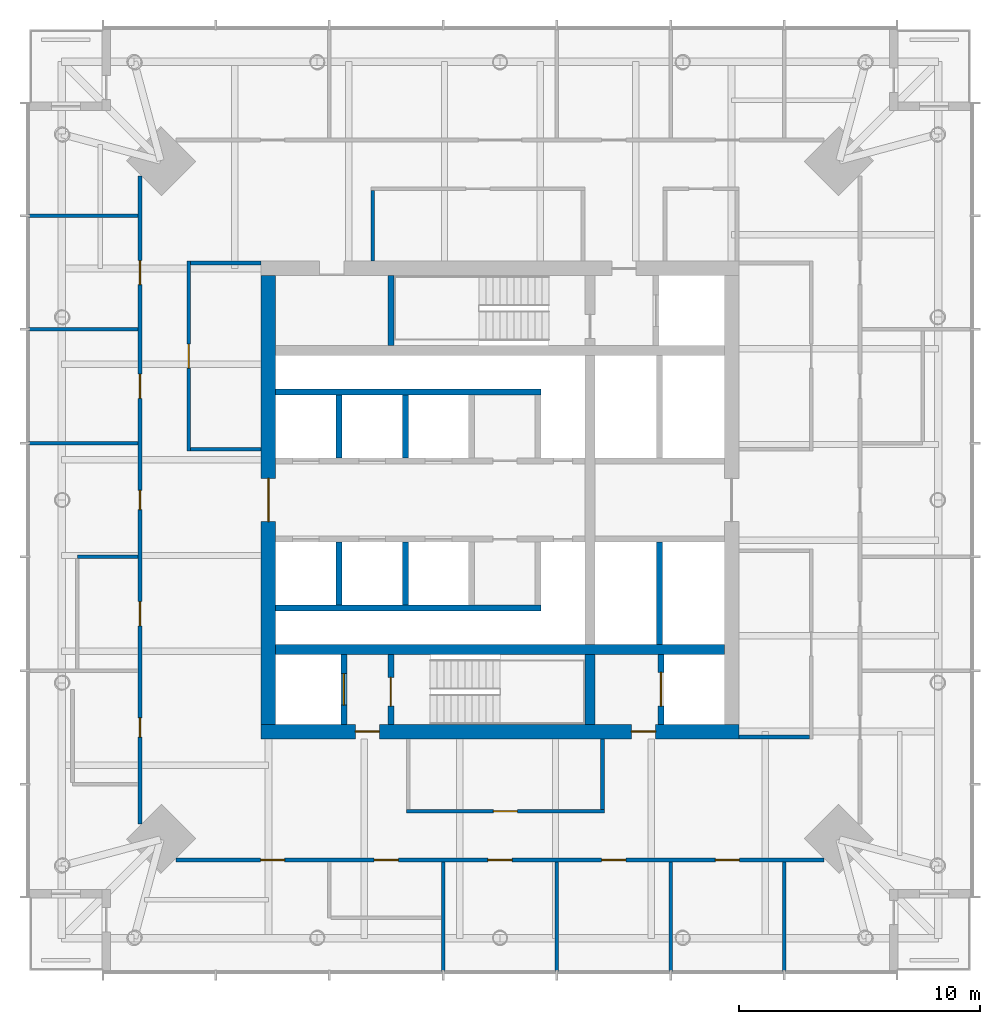
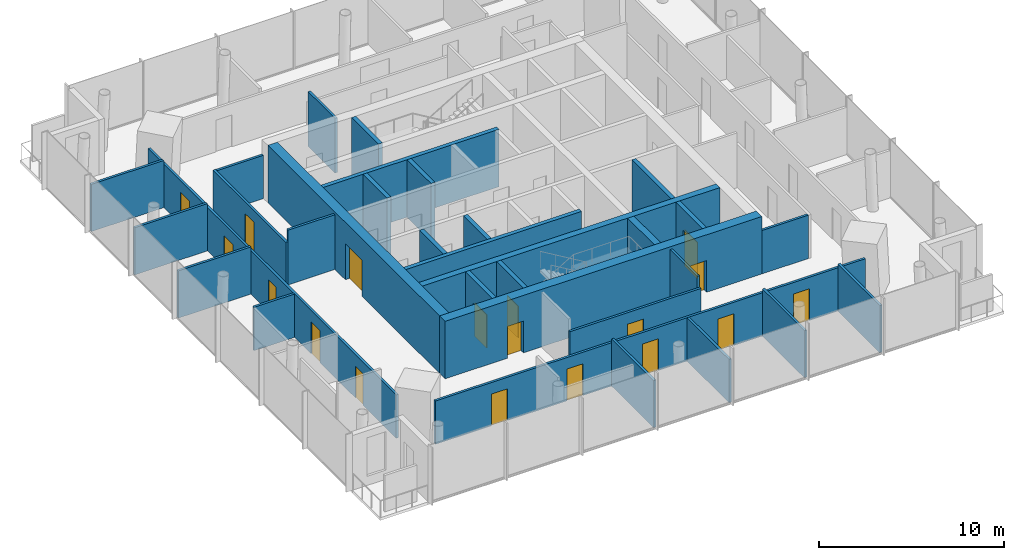
# One storey, part 4 of 7: 32 walls, 18 doors, 18 openings.
"""IFC4 building model written with IfcOpenShell, lengths in metres."""

from ifc_helpers import new_model, si_unit, direction, frame, frame_2d, origin, place, context, subcontext, project, spatial, rectangle, extrude, material, layer, layer_set, type_object, element, fill, save


model = new_model("IFC4")

# Units and contexts
model_context = context("Model", 3, precision=1e-05, world=origin(), true_north=direction((0.0, 1.0)))
body_context = subcontext(model_context, "Body", "Model", "MODEL_VIEW")
ifc_project = project(units=[si_unit("LENGTHUNIT", "METRE"), si_unit("AREAUNIT", "SQUARE_METRE"), si_unit("VOLUMEUNIT", "CUBIC_METRE"), si_unit("PLANEANGLEUNIT", "RADIAN"), si_unit("MASSUNIT", "GRAM", prefix="KILO")], contexts=[model_context])

# Site, building, storey
site_placement = place(None, origin())
site = spatial("IfcSite", under=ifc_project, at=site_placement, CompositionType="ELEMENT")
building_placement = place(site_placement, origin())
building = spatial("IfcBuilding", under=site, at=building_placement, Name="Ostroluk Exchange", CompositionType="ELEMENT")
storey_placement = place(building_placement, frame((0.0, 0.0, 203.39990234375)))
storey = spatial("IfcBuildingStorey", under=building, at=storey_placement, Name="L52", CompositionType="ELEMENT", Elevation=203.39990234375)

# Walls
ifc_material_1 = material(Name="Concrete C50/60", Category="concrete")
ifc_layer_1 = layer(ifc_material_1, 0.39990234375)
ifc_layer_set_1 = layer_set([ifc_layer_1], Name="Core cross wall 400 C50/60")
wall_type_1 = type_object("IfcWallType", Name="Core cross wall 400 C50/60", PredefinedType="SHEAR", material=ifc_layer_set_1)
wall_1_placement = place(storey_placement, frame((35.699951171875, 39.800048828125, 0.0), z_axis=(0.0, 0.0, 1.0), x_axis=(1.0, 0.0, 0.0)))
element("IfcWall", 1, at=wall_1_placement, inside=storey, type_object=wall_type_1, Name="T1 core wall XS", PredefinedType="SHEAR", context=body_context, shape_type="SweptSolid", body=[
    extrude(rectangle(XDim=18.60009765625, YDim=0.39990234375, at=frame_2d((9.300048828125, 0.0))), origin(), (0.0, 0.0, 1.0), 3.800048828125),
])
wall_2_placement = place(storey_placement, frame((48.72998046875, 36.699951171875, 0.0), z_axis=(0.0, 0.0, 1.0), x_axis=(0.0, 1.0, 0.0)))
element("IfcWall", 2, at=wall_2_placement, inside=storey, type_object=wall_type_1, Name="T1 core wall YE1", PredefinedType="SHEAR", context=body_context, shape_type="SweptSolid", body=[
    extrude(rectangle(XDim=2.900146484375, YDim=0.39990234375, at=frame_2d((1.4501953125, 0.0))), origin(), (0.0, 0.0, 1.0), 3.800048828125),
])

# Wall, opening, door
ifc_material_2 = material(Name="Concrete C40/50", Category="concrete")
ifc_layer_2 = layer(ifc_material_2, 0.25)
ifc_layer_set_2 = layer_set([ifc_layer_2], Name="Core shaft wall 250")
wall_type_2 = type_object("IfcWallType", Name="Core shaft wall 250", PredefinedType="SHEAR", material=ifc_layer_set_2)
wall_3_placement = place(storey_placement, frame((38.52490234375, 36.699951171875, 0.0), z_axis=(0.0, 0.0, 1.0), x_axis=(0.0, 1.0, 0.0)))
wall_3 = element("IfcWall", 3, at=wall_3_placement, inside=storey, type_object=wall_type_2, Name="Firefighting lift shaft wall", PredefinedType="SHEAR", context=body_context, shape_type="SweptSolid", body=[
    extrude(rectangle(XDim=2.900146484375, YDim=0.25, at=frame_2d((1.4501953125, 0.0))), origin(), (0.0, 0.0, 1.0), 3.800048828125),
])
opening_1_placement = place(wall_3_placement, frame((0.800048828125, 0.0, 0.0)))
opening_1 = element("IfcOpeningElement", 4, at=opening_1_placement, cuts=wall_3, Name="Opening LD2", PredefinedType="OPENING", context=body_context, shape_type="SweptSolid", body=[
    extrude(rectangle(XDim=1.300048828125, YDim=2.199951171875, at=frame_2d((0.64990234375, 1.10009765625))), frame((0.0, 0.135009765625, 0.0), z_axis=(0.0, -1.0, 0.0), x_axis=(1.0, 0.0, 0.0)), (0.0, 0.0, 1.0), 0.27001953125),
])
ifc_material_3 = material(Name="Stainless steel", Category="steel")
door_type_1 = type_object("IfcDoorType", Name="Lift landing door E 60 1300 x 2200", OperationType="DOUBLE_DOOR_SLIDING", PredefinedType="DOOR", material=ifc_material_3)
door_1_placement = place(opening_1_placement, origin())
door_1 = element("IfcDoor", 5, at=door_1_placement, inside=storey, type_object=door_type_1, Name="Lift FL1 landing door", OperationType="DOUBLE_DOOR_SLIDING", OverallHeight=2.199951171875, OverallWidth=1.300048828125, PredefinedType="DOOR", context=body_context, shape_type="SweptSolid", body=[
    extrude(rectangle(XDim=1.300048828125, YDim=2.199951171875, at=frame_2d((0.64990234375, 1.10009765625))), frame((0.0, 0.02490234375, 0.0), z_axis=(0.0, -1.0, 0.0), x_axis=(1.0, 0.0, 0.0)), (0.0, 0.0, 1.0), 0.050048828125),
])
fill(opening_1, door_1)

wall_4_placement = place(storey_placement, frame((40.47509765625, 36.699951171875, 0.0), z_axis=(0.0, 0.0, 1.0), x_axis=(0.0, 1.0, 0.0)))
wall_4 = element("IfcWall", 6, at=wall_4_placement, inside=storey, type_object=wall_type_2, Name="Stair shaft wall", PredefinedType="SHEAR", context=body_context, shape_type="SweptSolid", body=[
    extrude(rectangle(XDim=2.900146484375, YDim=0.25, at=frame_2d((1.4501953125, 0.0))), origin(), (0.0, 0.0, 1.0), 3.800048828125),
])
opening_2_placement = place(wall_4_placement, frame((0.75, 0.0, 0.0)))
opening_2 = element("IfcOpeningElement", 7, at=opening_2_placement, cuts=wall_4, Name="Opening FD60S", PredefinedType="OPENING", context=body_context, shape_type="SweptSolid", body=[
    extrude(rectangle(XDim=1.199951171875, YDim=2.10009765625, at=frame_2d((0.60009765625, 1.050048828125))), frame((0.0, 0.135009765625, 0.0), z_axis=(0.0, -1.0, 0.0), x_axis=(1.0, 0.0, 0.0)), (0.0, 0.0, 1.0), 0.27001953125),
])
ifc_material_4 = material(Name="Steel", Category="steel")
door_type_2 = type_object("IfcDoorType", Name="Stair door EI 60 1200 x 2100", OperationType="SINGLE_SWING_LEFT", PredefinedType="DOOR", material=ifc_material_4)
door_2_placement = place(opening_2_placement, origin())
door_2 = element("IfcDoor", 8, at=door_2_placement, inside=storey, type_object=door_type_2, Name="Stair T1-S1 door", OperationType="SINGLE_SWING_LEFT", OverallHeight=2.10009765625, OverallWidth=1.199951171875, PredefinedType="DOOR", context=body_context, shape_type="SweptSolid", body=[
    extrude(rectangle(XDim=1.199951171875, YDim=2.10009765625, at=frame_2d((0.60009765625, 1.050048828125))), frame((0.0, 0.02490234375, 0.0), z_axis=(0.0, -1.0, 0.0), x_axis=(1.0, 0.0, 0.0)), (0.0, 0.0, 1.0), 0.050048828125),
])
fill(opening_2, door_2)

wall_5_placement = place(storey_placement, frame((51.675048828125, 36.699951171875, 0.0), z_axis=(0.0, 0.0, 1.0), x_axis=(0.0, 1.0, 0.0)))
wall_5 = element("IfcWall", 9, at=wall_5_placement, inside=storey, type_object=wall_type_2, Name="Service lift shaft wall", PredefinedType="SHEAR", context=body_context, shape_type="SweptSolid", body=[
    extrude(rectangle(XDim=2.900146484375, YDim=0.25, at=frame_2d((1.4501953125, 0.0))), origin(), (0.0, 0.0, 1.0), 3.800048828125),
])
opening_3_placement = place(wall_5_placement, frame((0.75, 0.0, 0.0)))
opening_3 = element("IfcOpeningElement", 10, at=opening_3_placement, cuts=wall_5, Name="Opening LD3", PredefinedType="OPENING", context=body_context, shape_type="SweptSolid", body=[
    extrude(rectangle(XDim=1.39990234375, YDim=2.39990234375, at=frame_2d((0.699951171875, 1.199951171875))), frame((0.0, 0.135009765625, 0.0), z_axis=(0.0, -1.0, 0.0), x_axis=(1.0, 0.0, 0.0)), (0.0, 0.0, 1.0), 0.27001953125),
])
ifc_material_5 = material(Name="Stainless steel", Category="steel")
door_type_3 = type_object("IfcDoorType", Name="Goods lift landing door E 60 1400 x 2400", OperationType="DOUBLE_DOOR_SLIDING", PredefinedType="DOOR", material=ifc_material_5)
door_3_placement = place(opening_3_placement, origin())
door_3 = element("IfcDoor", 11, at=door_3_placement, inside=storey, type_object=door_type_3, Name="Lift SL1 landing door", OperationType="DOUBLE_DOOR_SLIDING", OverallHeight=2.39990234375, OverallWidth=1.39990234375, PredefinedType="DOOR", context=body_context, shape_type="SweptSolid", body=[
    extrude(rectangle(XDim=1.39990234375, YDim=2.39990234375, at=frame_2d((0.699951171875, 1.199951171875))), frame((0.0, 0.02490234375, 0.0), z_axis=(0.0, -1.0, 0.0), x_axis=(1.0, 0.0, 0.0)), (0.0, 0.0, 1.0), 0.050048828125),
])
fill(opening_3, door_3)

# Walls
wall_6_placement = place(storey_placement, frame((40.47509765625, 52.39990234375, 0.0), z_axis=(0.0, 0.0, 1.0), x_axis=(0.0, 1.0, 0.0)))
element("IfcWall", 12, at=wall_6_placement, inside=storey, type_object=wall_type_2, Name="Stair shaft wall", PredefinedType="SHEAR", context=body_context, shape_type="SweptSolid", body=[
    extrude(rectangle(XDim=2.900146484375, YDim=0.25, at=frame_2d((1.4501953125, 0.0))), origin(), (0.0, 0.0, 1.0), 3.800048828125),
])
for number, where, z_axis, x_axis, name in (
    (13, (38.324951171875, 47.75, 0.0), (0.0, 0.0, 1.0), (0.0, 1.0, 0.0), "Lift shaft wall"),
    (14, (41.074951171875, 47.75, 0.0), (0.0, 0.0, 1.0), (0.0, 1.0, 0.0), "Lift shaft wall"),
):
    element("IfcWall", number, at=place(storey_placement, frame(where, z_axis=z_axis, x_axis=x_axis)), inside=storey, type_object=wall_type_2, Name=name, PredefinedType="SHEAR", context=body_context, shape_type="SweptSolid", body=[
        extrude(rectangle(XDim=2.60009765625, YDim=0.25, at=frame_2d((1.300048828125, 0.0))), origin(), (0.0, 0.0, 1.0), 3.800048828125),
    ])
wall_7_placement = place(storey_placement, frame((35.699951171875, 50.47509765625, 0.0), z_axis=(0.0, 0.0, 1.0), x_axis=(1.0, 0.0, 0.0)))
element("IfcWall", 15, at=wall_7_placement, inside=storey, type_object=wall_type_2, Name="Lift shaft wall", PredefinedType="SHEAR", context=body_context, shape_type="SweptSolid", body=[
    extrude(rectangle(XDim=11.0, YDim=0.25, at=frame_2d((5.5, 0.0))), origin(), (0.0, 0.0, 1.0), 3.800048828125),
])
for number, where, z_axis, x_axis, name in (
    (16, (38.324951171875, 44.25, 0.0), (0.0, 0.0, 1.0), (0.0, -1.0, 0.0), "Lift shaft wall"),
    (17, (41.074951171875, 44.25, 0.0), (0.0, 0.0, 1.0), (0.0, -1.0, 0.0), "Lift shaft wall"),
):
    element("IfcWall", number, at=place(storey_placement, frame(where, z_axis=z_axis, x_axis=x_axis)), inside=storey, type_object=wall_type_2, Name=name, PredefinedType="SHEAR", context=body_context, shape_type="SweptSolid", body=[
        extrude(rectangle(XDim=2.60009765625, YDim=0.25, at=frame_2d((1.300048828125, 0.0))), origin(), (0.0, 0.0, 1.0), 3.800048828125),
    ])
wall_8_placement = place(storey_placement, frame((35.699951171875, 41.52490234375, 0.0), z_axis=(0.0, 0.0, 1.0), x_axis=(1.0, 0.0, 0.0)))
element("IfcWall", 18, at=wall_8_placement, inside=storey, type_object=wall_type_2, Name="Lift shaft wall", PredefinedType="SHEAR", context=body_context, shape_type="SweptSolid", body=[
    extrude(rectangle(XDim=11.0, YDim=0.25, at=frame_2d((5.5, 0.0))), origin(), (0.0, 0.0, 1.0), 3.800048828125),
])
wall_9_placement = place(storey_placement, frame((51.614990234375, 44.25, 0.0), z_axis=(0.0, 0.0, 1.0), x_axis=(0.0, -1.0, 0.0)))
element("IfcWall", 19, at=wall_9_placement, inside=storey, type_object=wall_type_2, Name="Lift shaft wall", PredefinedType="SHEAR", context=body_context, shape_type="SweptSolid", body=[
    extrude(rectangle(XDim=4.25, YDim=0.25, at=frame_2d((2.125, 0.0))), origin(), (0.0, 0.0, 1.0), 3.800048828125),
])

# Wall, openings, doors
ifc_material_6 = material(Name="Concrete C50/60", Category="concrete")
ifc_layer_3 = layer(ifc_material_6, 0.60009765625)
ifc_layer_set_3 = layer_set([ifc_layer_3], Name="Core wall 600 C50/60")
wall_type_3 = type_object("IfcWallType", Name="Core wall 600 C50/60", PredefinedType="SHEAR", material=ifc_layer_set_3)
wall_10_placement = place(storey_placement, frame((35.10009765625, 36.39990234375, 0.0), z_axis=(0.0, 0.0, 1.0), x_axis=(1.0, 0.0, 0.0)))
wall_10 = element("IfcWall", 20, at=wall_10_placement, inside=storey, type_object=wall_type_3, Name="T1 core wall S", PredefinedType="SHEAR", context=body_context, shape_type="SweptSolid", body=[
    extrude(rectangle(XDim=19.7998046875, YDim=0.60009765625, at=frame_2d((9.89990234375, 0.0))), origin(), (0.0, 0.0, 1.0), 3.800048828125),
])
opening_4_placement = place(wall_10_placement, frame((3.89990234375, 0.0, 0.0)))
opening_4 = element("IfcOpeningElement", 21, at=opening_4_placement, cuts=wall_10, Name="Opening FD60", PredefinedType="OPENING", context=body_context, shape_type="SweptSolid", body=[
    extrude(rectangle(XDim=1.0, YDim=2.10009765625, at=frame_2d((0.5, 1.050048828125))), frame((0.0, 0.31005859375, 0.0), z_axis=(0.0, -1.0, 0.0), x_axis=(1.0, 0.0, 0.0)), (0.0, 0.0, 1.0), 0.6201171875),
])
opening_5_placement = place(wall_10_placement, frame((15.35009765625, 0.0, 0.0)))
opening_5 = element("IfcOpeningElement", 22, at=opening_5_placement, cuts=wall_10, Name="Opening FD60", PredefinedType="OPENING", context=body_context, shape_type="SweptSolid", body=[
    extrude(rectangle(XDim=1.0, YDim=2.10009765625, at=frame_2d((0.5, 1.050048828125))), frame((0.0, 0.31005859375, 0.0), z_axis=(0.0, -1.0, 0.0), x_axis=(1.0, 0.0, 0.0)), (0.0, 0.0, 1.0), 0.6201171875),
])
ifc_material_7 = material(Name="Steel", Category="steel")
door_type_4 = type_object("IfcDoorType", Name="Fire door EI 60 1000 x 2100", OperationType="SINGLE_SWING_LEFT", PredefinedType="DOOR", material=ifc_material_7)
door_4_placement = place(opening_4_placement, origin())
door_4 = element("IfcDoor", 23, at=door_4_placement, inside=storey, type_object=door_type_4, Name="Firefighting lobby door", OperationType="SINGLE_SWING_LEFT", OverallHeight=2.10009765625, OverallWidth=1.0, PredefinedType="DOOR", context=body_context, shape_type="SweptSolid", body=[
    extrude(rectangle(XDim=1.0, YDim=2.10009765625, at=frame_2d((0.5, 1.050048828125))), frame((0.0, 0.02490234375, 0.0), z_axis=(0.0, -1.0, 0.0), x_axis=(1.0, 0.0, 0.0)), (0.0, 0.0, 1.0), 0.050048828125),
])
fill(opening_4, door_4)
door_5_placement = place(opening_5_placement, origin())
door_5 = element("IfcDoor", 24, at=door_5_placement, inside=storey, type_object=door_type_4, Name="Service lobby door", OperationType="SINGLE_SWING_RIGHT", OverallHeight=2.10009765625, OverallWidth=1.0, PredefinedType="DOOR", context=body_context, shape_type="SweptSolid", body=[
    extrude(rectangle(XDim=1.0, YDim=2.10009765625, at=frame_2d((0.5, 1.050048828125))), frame((0.0, 0.02490234375, 0.0), z_axis=(0.0, -1.0, 0.0), x_axis=(1.0, 0.0, 0.0)), (0.0, 0.0, 1.0), 0.050048828125),
])
fill(opening_5, door_5)

# Wall, opening, door
wall_11_placement = place(storey_placement, frame((35.39990234375, 36.699951171875, 0.0), z_axis=(0.0, 0.0, 1.0), x_axis=(0.0, 1.0, 0.0)))
wall_11 = element("IfcWall", 25, at=wall_11_placement, inside=storey, type_object=wall_type_3, Name="T1 core wall W", PredefinedType="SHEAR", context=body_context, shape_type="SweptSolid", body=[
    extrude(rectangle(XDim=18.60009765625, YDim=0.60009765625, at=frame_2d((9.300048828125, 0.0))), origin(), (0.0, 0.0, 1.0), 3.800048828125),
])
opening_6_placement = place(wall_11_placement, frame((8.39990234375, 0.0, 0.0)))
opening_6 = element("IfcOpeningElement", 26, at=opening_6_placement, cuts=wall_11, Name="Opening FD30D", PredefinedType="OPENING", context=body_context, shape_type="SweptSolid", body=[
    extrude(rectangle(XDim=1.800048828125, YDim=2.39990234375, at=frame_2d((0.89990234375, 1.199951171875))), frame((0.0, 0.31005859375, 0.0), z_axis=(0.0, -1.0, 0.0), x_axis=(1.0, 0.0, 0.0)), (0.0, 0.0, 1.0), 0.6201171875),
])
ifc_material_8 = material(Name="Timber", Category="wood")
door_type_5 = type_object("IfcDoorType", Name="Lobby double door EI 30 1800 x 2400", OperationType="DOUBLE_DOOR_SINGLE_SWING", PredefinedType="DOOR", material=ifc_material_8)
door_6_placement = place(opening_6_placement, origin())
door_6 = element("IfcDoor", 27, at=door_6_placement, inside=storey, type_object=door_type_5, Name="Lift lobby doors", OperationType="DOUBLE_DOOR_SINGLE_SWING", OverallHeight=2.39990234375, OverallWidth=1.800048828125, PredefinedType="DOOR", context=body_context, shape_type="SweptSolid", body=[
    extrude(rectangle(XDim=1.800048828125, YDim=2.39990234375, at=frame_2d((0.89990234375, 1.199951171875))), frame((0.0, 0.02490234375, 0.0), z_axis=(0.0, -1.0, 0.0), x_axis=(1.0, 0.0, 0.0)), (0.0, 0.0, 1.0), 0.050048828125),
])
fill(opening_6, door_6)

# Walls
ifc_material_9 = material(Name="Gypsum plasterboard partition", Category="gypsum")
ifc_layer_4 = layer(ifc_material_9, 0.14990234375)
ifc_layer_set_4 = layer_set([ifc_layer_4], Name="Plasterboard partition 150")
wall_type_4 = type_object("IfcWallType", Name="Plasterboard partition 150", PredefinedType="PARTITIONING", material=ifc_layer_set_4)
wall_12_placement = place(storey_placement, frame((54.89990234375, 36.175048828125, 0.0), z_axis=(0.0, 0.0, 1.0), x_axis=(1.0, 0.0, 0.0)))
element("IfcWall", 28, at=wall_12_placement, inside=storey, type_object=wall_type_4, Name="Partition", PredefinedType="PARTITIONING", context=body_context, shape_type="SweptSolid", body=[
    extrude(rectangle(XDim=2.925048828125, YDim=0.14990234375, at=frame_2d((1.46240234375, 0.0))), origin(), (0.0, 0.0, 1.0), 2.8671875),
])
wall_13_placement = place(storey_placement, frame((39.72509765625, 55.89990234375, 0.0), z_axis=(0.0, 0.0, 1.0), x_axis=(0.0, 1.0, 0.0)))
element("IfcWall", 29, at=wall_13_placement, inside=storey, type_object=wall_type_4, Name="Partition", PredefinedType="PARTITIONING", context=body_context, shape_type="SweptSolid", body=[
    extrude(rectangle(XDim=2.925048828125, YDim=0.14990234375, at=frame_2d((1.46240234375, 0.0))), origin(), (0.0, 0.0, 1.0), 3.6201171875),
])

# Wall, opening, door
wall_14_placement = place(storey_placement, frame((32.10009765625, 55.89990234375, 0.0), z_axis=(0.0, 0.0, 1.0), x_axis=(0.0, -1.0, 0.0)))
wall_14 = element("IfcWall", 30, at=wall_14_placement, inside=storey, type_object=wall_type_4, Name="Partition", PredefinedType="PARTITIONING", context=body_context, shape_type="SweptSolid", body=[
    extrude(rectangle(XDim=7.875, YDim=0.14990234375, at=frame_2d((3.9375, 0.0))), origin(), (0.0, 0.0, 1.0), 2.8671875),
])
opening_7_placement = place(wall_14_placement, frame((3.4375, 0.0, 0.0)))
opening_7 = element("IfcOpeningElement", 31, at=opening_7_placement, cuts=wall_14, Name="Opening D-03", PredefinedType="OPENING", context=body_context, shape_type="SweptSolid", body=[
    extrude(rectangle(XDim=1.0, YDim=2.10009765625, at=frame_2d((0.5, 1.050048828125))), frame((0.0, 0.0849609375, 0.0), z_axis=(0.0, -1.0, 0.0), x_axis=(1.0, 0.0, 0.0)), (0.0, 0.0, 1.0), 0.169921875),
])
ifc_material_10 = material(Name="Timber", Category="wood")
door_type_6 = type_object("IfcDoorType", Name="Internal door 1000 x 2100", OperationType="SINGLE_SWING_LEFT", PredefinedType="DOOR", material=ifc_material_10)
door_7_placement = place(opening_7_placement, origin())
door_7 = element("IfcDoor", 32, at=door_7_placement, inside=storey, type_object=door_type_6, Name="Meeting room door", OperationType="SINGLE_SWING_LEFT", OverallHeight=2.10009765625, OverallWidth=1.0, PredefinedType="DOOR", context=body_context, shape_type="SweptSolid", body=[
    extrude(rectangle(XDim=1.0, YDim=2.10009765625, at=frame_2d((0.5, 1.050048828125))), frame((0.0, 0.02490234375, 0.0), z_axis=(0.0, -1.0, 0.0), x_axis=(1.0, 0.0, 0.0)), (0.0, 0.0, 1.0), 0.050048828125),
])
fill(opening_7, door_7)

# Walls
wall_15_placement = place(storey_placement, frame((35.10009765625, 55.824951171875, 0.0), z_axis=(0.0, 0.0, 1.0), x_axis=(-1.0, 0.0, 0.0)))
element("IfcWall", 33, at=wall_15_placement, inside=storey, type_object=wall_type_4, Name="Partition", PredefinedType="PARTITIONING", context=body_context, shape_type="SweptSolid", body=[
    extrude(rectangle(XDim=2.925048828125, YDim=0.14990234375, at=frame_2d((1.46240234375, 0.0))), origin(), (0.0, 0.0, 1.0), 2.8671875),
])
wall_16_placement = place(storey_placement, frame((35.10009765625, 48.10009765625, 0.0), z_axis=(0.0, 0.0, 1.0), x_axis=(-1.0, 0.0, 0.0)))
element("IfcWall", 34, at=wall_16_placement, inside=storey, type_object=wall_type_4, Name="Partition", PredefinedType="PARTITIONING", context=body_context, shape_type="SweptSolid", body=[
    extrude(rectangle(XDim=2.925048828125, YDim=0.14990234375, at=frame_2d((1.46240234375, 0.0))), origin(), (0.0, 0.0, 1.0), 3.6201171875),
])

# Wall, opening, door
wall_17_placement = place(storey_placement, frame((41.125, 33.10009765625, 0.0), z_axis=(0.0, 0.0, 1.0), x_axis=(1.0, 0.0, 0.0)))
wall_17 = element("IfcWall", 35, at=wall_17_placement, inside=storey, type_object=wall_type_4, Name="Partition", PredefinedType="PARTITIONING", context=body_context, shape_type="SweptSolid", body=[
    extrude(rectangle(XDim=8.199951171875, YDim=0.14990234375, at=frame_2d((4.10009765625, 0.0))), origin(), (0.0, 0.0, 1.0), 2.8671875),
])
opening_8_placement = place(wall_17_placement, frame((3.60009765625, 0.0, 0.0)))
opening_8 = element("IfcOpeningElement", 36, at=opening_8_placement, cuts=wall_17, Name="Opening D-03", PredefinedType="OPENING", context=body_context, shape_type="SweptSolid", body=[
    extrude(rectangle(XDim=1.0, YDim=2.10009765625, at=frame_2d((0.5, 1.050048828125))), frame((0.0, 0.0849609375, 0.0), z_axis=(0.0, -1.0, 0.0), x_axis=(1.0, 0.0, 0.0)), (0.0, 0.0, 1.0), 0.169921875),
])
door_8_placement = place(opening_8_placement, origin())
door_8 = element("IfcDoor", 37, at=door_8_placement, inside=storey, type_object=door_type_6, Name="Meeting room door", OperationType="SINGLE_SWING_LEFT", OverallHeight=2.10009765625, OverallWidth=1.0, PredefinedType="DOOR", context=body_context, shape_type="SweptSolid", body=[
    extrude(rectangle(XDim=1.0, YDim=2.10009765625, at=frame_2d((0.5, 1.050048828125))), frame((0.0, 0.02490234375, 0.0), z_axis=(0.0, -1.0, 0.0), x_axis=(1.0, 0.0, 0.0)), (0.0, 0.0, 1.0), 0.050048828125),
])
fill(opening_8, door_8)

# Wall
wall_18_placement = place(storey_placement, frame((49.25, 36.10009765625, 0.0), z_axis=(0.0, 0.0, 1.0), x_axis=(0.0, -1.0, 0.0)))
element("IfcWall", 38, at=wall_18_placement, inside=storey, type_object=wall_type_4, Name="Partition", PredefinedType="PARTITIONING", context=body_context, shape_type="SweptSolid", body=[
    extrude(rectangle(XDim=2.925048828125, YDim=0.14990234375, at=frame_2d((1.46240234375, 0.0))), origin(), (0.0, 0.0, 1.0), 3.6201171875),
])

# Wall, openings, doors
wall_19_placement = place(storey_placement, frame((30.074951171875, 59.435791015625, 0.0), z_axis=(0.0, 0.0, 1.0), x_axis=(0.0, -1.0, 0.0)))
wall_19 = element("IfcWall", 39, at=wall_19_placement, inside=storey, type_object=wall_type_4, Name="Partition", PredefinedType="PARTITIONING", context=body_context, shape_type="SweptSolid", body=[
    extrude(rectangle(XDim=26.87158203125, YDim=0.14990234375, at=frame_2d((13.435791015625, 0.0))), origin(), (0.0, 0.0, 1.0), 2.8671875),
])
opening_9_placement = place(wall_19_placement, frame((3.50732421875, 0.0, 0.0)))
opening_9 = element("IfcOpeningElement", 40, at=opening_9_placement, cuts=wall_19, Name="Opening D-03", PredefinedType="OPENING", context=body_context, shape_type="SweptSolid", body=[
    extrude(rectangle(XDim=1.0, YDim=2.10009765625, at=frame_2d((0.5, 1.050048828125))), frame((0.0, 0.0849609375, 0.0), z_axis=(0.0, -1.0, 0.0), x_axis=(1.0, 0.0, 0.0)), (0.0, 0.0, 1.0), 0.169921875),
])
opening_10_placement = place(wall_19_placement, frame((8.221435546875, 0.0, 0.0)))
opening_10 = element("IfcOpeningElement", 41, at=opening_10_placement, cuts=wall_19, Name="Opening D-03", PredefinedType="OPENING", context=body_context, shape_type="SweptSolid", body=[
    extrude(rectangle(XDim=1.0, YDim=2.10009765625, at=frame_2d((0.5, 1.050048828125))), frame((0.0, 0.0849609375, 0.0), z_axis=(0.0, -1.0, 0.0), x_axis=(1.0, 0.0, 0.0)), (0.0, 0.0, 1.0), 0.169921875),
])
opening_11_placement = place(wall_19_placement, frame((13.035888671875, 0.0, 0.0)))
opening_11 = element("IfcOpeningElement", 42, at=opening_11_placement, cuts=wall_19, Name="Opening D-06", PredefinedType="OPENING", context=body_context, shape_type="SweptSolid", body=[
    extrude(rectangle(XDim=0.800048828125, YDim=2.10009765625, at=frame_2d((0.39990234375, 1.050048828125))), frame((0.0, 0.0849609375, 0.0), z_axis=(0.0, -1.0, 0.0), x_axis=(1.0, 0.0, 0.0)), (0.0, 0.0, 1.0), 0.169921875),
])
opening_12_placement = place(wall_19_placement, frame((17.650146484375, 0.0, 0.0)))
opening_12 = element("IfcOpeningElement", 43, at=opening_12_placement, cuts=wall_19, Name="Opening D-03", PredefinedType="OPENING", context=body_context, shape_type="SweptSolid", body=[
    extrude(rectangle(XDim=1.0, YDim=2.10009765625, at=frame_2d((0.5, 1.050048828125))), frame((0.0, 0.0849609375, 0.0), z_axis=(0.0, -1.0, 0.0), x_axis=(1.0, 0.0, 0.0)), (0.0, 0.0, 1.0), 0.169921875),
])
opening_13_placement = place(wall_19_placement, frame((22.46435546875, 0.0, 0.0)))
opening_13 = element("IfcOpeningElement", 44, at=opening_13_placement, cuts=wall_19, Name="Opening D-06", PredefinedType="OPENING", context=body_context, shape_type="SweptSolid", body=[
    extrude(rectangle(XDim=0.800048828125, YDim=2.10009765625, at=frame_2d((0.39990234375, 1.050048828125))), frame((0.0, 0.0849609375, 0.0), z_axis=(0.0, -1.0, 0.0), x_axis=(1.0, 0.0, 0.0)), (0.0, 0.0, 1.0), 0.169921875),
])
door_9_placement = place(opening_9_placement, origin())
door_9 = element("IfcDoor", 45, at=door_9_placement, inside=storey, type_object=door_type_6, Name="Office door", OperationType="SINGLE_SWING_LEFT", OverallHeight=2.10009765625, OverallWidth=1.0, PredefinedType="DOOR", context=body_context, shape_type="SweptSolid", body=[
    extrude(rectangle(XDim=1.0, YDim=2.10009765625, at=frame_2d((0.5, 1.050048828125))), frame((0.0, 0.02490234375, 0.0), z_axis=(0.0, -1.0, 0.0), x_axis=(1.0, 0.0, 0.0)), (0.0, 0.0, 1.0), 0.050048828125),
])
fill(opening_9, door_9)
door_10_placement = place(opening_10_placement, origin())
door_10 = element("IfcDoor", 46, at=door_10_placement, inside=storey, type_object=door_type_6, Name="Meeting room door", OperationType="SINGLE_SWING_LEFT", OverallHeight=2.10009765625, OverallWidth=1.0, PredefinedType="DOOR", context=body_context, shape_type="SweptSolid", body=[
    extrude(rectangle(XDim=1.0, YDim=2.10009765625, at=frame_2d((0.5, 1.050048828125))), frame((0.0, 0.02490234375, 0.0), z_axis=(0.0, -1.0, 0.0), x_axis=(1.0, 0.0, 0.0)), (0.0, 0.0, 1.0), 0.050048828125),
])
fill(opening_10, door_10)
door_11_placement = place(opening_12_placement, origin())
door_11 = element("IfcDoor", 47, at=door_11_placement, inside=storey, type_object=door_type_6, Name="Accessible WC door", OperationType="SINGLE_SWING_RIGHT", OverallHeight=2.10009765625, OverallWidth=1.0, PredefinedType="DOOR", context=body_context, shape_type="SweptSolid", body=[
    extrude(rectangle(XDim=1.0, YDim=2.10009765625, at=frame_2d((0.5, 1.050048828125))), frame((0.0, 0.02490234375, 0.0), z_axis=(0.0, -1.0, 0.0), x_axis=(1.0, 0.0, 0.0)), (0.0, 0.0, 1.0), 0.050048828125),
])
fill(opening_12, door_11)
ifc_material_11 = material(Name="Timber", Category="wood")
door_type_7 = type_object("IfcDoorType", Name="Toilet door 800 x 2100", OperationType="SINGLE_SWING_LEFT", PredefinedType="DOOR", material=ifc_material_11)
door_12_placement = place(opening_11_placement, origin())
door_12 = element("IfcDoor", 48, at=door_12_placement, inside=storey, type_object=door_type_7, Name="WC female door", OperationType="SINGLE_SWING_LEFT", OverallHeight=2.10009765625, OverallWidth=0.800048828125, PredefinedType="DOOR", context=body_context, shape_type="SweptSolid", body=[
    extrude(rectangle(XDim=0.800048828125, YDim=2.10009765625, at=frame_2d((0.39990234375, 1.050048828125))), frame((0.0, 0.02490234375, 0.0), z_axis=(0.0, -1.0, 0.0), x_axis=(1.0, 0.0, 0.0)), (0.0, 0.0, 1.0), 0.050048828125),
])
fill(opening_11, door_12)
door_13_placement = place(opening_13_placement, origin())
door_13 = element("IfcDoor", 49, at=door_13_placement, inside=storey, type_object=door_type_7, Name="WC male door", OperationType="SINGLE_SWING_RIGHT", OverallHeight=2.10009765625, OverallWidth=0.800048828125, PredefinedType="DOOR", context=body_context, shape_type="SweptSolid", body=[
    extrude(rectangle(XDim=0.800048828125, YDim=2.10009765625, at=frame_2d((0.39990234375, 1.050048828125))), frame((0.0, 0.02490234375, 0.0), z_axis=(0.0, -1.0, 0.0), x_axis=(1.0, 0.0, 0.0)), (0.0, 0.0, 1.0), 0.050048828125),
])
fill(opening_13, door_13)

# Walls
for number, where, z_axis, x_axis, name in (
    (50, (30.0, 57.78564453125, 0.0), (0.0, 0.0, 1.0), (-1.0, 0.0, 0.0), "Partition"),
    (51, (30.0, 53.071533203125, 0.0), (0.0, 0.0, 1.0), (-1.0, 0.0, 0.0), "Partition"),
    (52, (30.0, 48.357177734375, 0.0), (0.0, 0.0, 1.0), (-1.0, 0.0, 0.0), "Partition"),
):
    element("IfcWall", number, at=place(storey_placement, frame(where, z_axis=z_axis, x_axis=x_axis)), inside=storey, type_object=wall_type_4, Name=name, PredefinedType="PARTITIONING", context=body_context, shape_type="SweptSolid", body=[
        extrude(rectangle(XDim=4.5400390625, YDim=0.14990234375, at=frame_2d((2.27001953125, 0.0))), origin(), (0.0, 0.0, 1.0), 3.1201171875),
    ])
wall_20_placement = place(storey_placement, frame((30.0, 43.642822265625, 0.0), z_axis=(0.0, 0.0, 1.0), x_axis=(-1.0, 0.0, 0.0)))
element("IfcWall", 53, at=wall_20_placement, inside=storey, type_object=wall_type_4, Name="Partition", PredefinedType="PARTITIONING", context=body_context, shape_type="SweptSolid", body=[
    extrude(rectangle(XDim=2.52490234375, YDim=0.14990234375, at=frame_2d((1.262451171875, 0.0))), origin(), (0.0, 0.0, 1.0), 2.8671875),
])

# Wall, openings, doors
wall_21_placement = place(storey_placement, frame((31.564208984375, 31.074951171875, 0.0), z_axis=(0.0, 0.0, 1.0), x_axis=(1.0, 0.0, 0.0)))
wall_21 = element("IfcWall", 54, at=wall_21_placement, inside=storey, type_object=wall_type_4, Name="Partition", PredefinedType="PARTITIONING", context=body_context, shape_type="SweptSolid", body=[
    extrude(rectangle(XDim=26.87158203125, YDim=0.14990234375, at=frame_2d((13.435791015625, 0.0))), origin(), (0.0, 0.0, 1.0), 2.8671875),
])
opening_14_placement = place(wall_21_placement, frame((3.50732421875, 0.0, 0.0)))
opening_14 = element("IfcOpeningElement", 55, at=opening_14_placement, cuts=wall_21, Name="Opening D-03", PredefinedType="OPENING", context=body_context, shape_type="SweptSolid", body=[
    extrude(rectangle(XDim=1.0, YDim=2.10009765625, at=frame_2d((0.5, 1.050048828125))), frame((0.0, 0.0849609375, 0.0), z_axis=(0.0, -1.0, 0.0), x_axis=(1.0, 0.0, 0.0)), (0.0, 0.0, 1.0), 0.169921875),
])
opening_15_placement = place(wall_21_placement, frame((8.221435546875, 0.0, 0.0)))
opening_15 = element("IfcOpeningElement", 56, at=opening_15_placement, cuts=wall_21, Name="Opening D-03", PredefinedType="OPENING", context=body_context, shape_type="SweptSolid", body=[
    extrude(rectangle(XDim=1.0, YDim=2.10009765625, at=frame_2d((0.5, 1.050048828125))), frame((0.0, 0.0849609375, 0.0), z_axis=(0.0, -1.0, 0.0), x_axis=(1.0, 0.0, 0.0)), (0.0, 0.0, 1.0), 0.169921875),
])
opening_16_placement = place(wall_21_placement, frame((12.935791015625, 0.0, 0.0)))
opening_16 = element("IfcOpeningElement", 57, at=opening_16_placement, cuts=wall_21, Name="Opening D-03", PredefinedType="OPENING", context=body_context, shape_type="SweptSolid", body=[
    extrude(rectangle(XDim=1.0, YDim=2.10009765625, at=frame_2d((0.5, 1.050048828125))), frame((0.0, 0.0849609375, 0.0), z_axis=(0.0, -1.0, 0.0), x_axis=(1.0, 0.0, 0.0)), (0.0, 0.0, 1.0), 0.169921875),
])
opening_17_placement = place(wall_21_placement, frame((17.650146484375, 0.0, 0.0)))
opening_17 = element("IfcOpeningElement", 58, at=opening_17_placement, cuts=wall_21, Name="Opening D-03", PredefinedType="OPENING", context=body_context, shape_type="SweptSolid", body=[
    extrude(rectangle(XDim=1.0, YDim=2.10009765625, at=frame_2d((0.5, 1.050048828125))), frame((0.0, 0.0849609375, 0.0), z_axis=(0.0, -1.0, 0.0), x_axis=(1.0, 0.0, 0.0)), (0.0, 0.0, 1.0), 0.169921875),
])
opening_18_placement = place(wall_21_placement, frame((22.3642578125, 0.0, 0.0)))
opening_18 = element("IfcOpeningElement", 59, at=opening_18_placement, cuts=wall_21, Name="Opening D-03", PredefinedType="OPENING", context=body_context, shape_type="SweptSolid", body=[
    extrude(rectangle(XDim=1.0, YDim=2.10009765625, at=frame_2d((0.5, 1.050048828125))), frame((0.0, 0.0849609375, 0.0), z_axis=(0.0, -1.0, 0.0), x_axis=(1.0, 0.0, 0.0)), (0.0, 0.0, 1.0), 0.169921875),
])
door_14_placement = place(opening_14_placement, origin())
door_14 = element("IfcDoor", 60, at=door_14_placement, inside=storey, type_object=door_type_6, Name="Office suite door", OperationType="SINGLE_SWING_LEFT", OverallHeight=2.10009765625, OverallWidth=1.0, PredefinedType="DOOR", context=body_context, shape_type="SweptSolid", body=[
    extrude(rectangle(XDim=1.0, YDim=2.10009765625, at=frame_2d((0.5, 1.050048828125))), frame((0.0, 0.02490234375, 0.0), z_axis=(0.0, -1.0, 0.0), x_axis=(1.0, 0.0, 0.0)), (0.0, 0.0, 1.0), 0.050048828125),
])
fill(opening_14, door_14)
door_15_placement = place(opening_15_placement, origin())
door_15 = element("IfcDoor", 61, at=door_15_placement, inside=storey, type_object=door_type_6, Name="Print and store room door", OperationType="SINGLE_SWING_LEFT", OverallHeight=2.10009765625, OverallWidth=1.0, PredefinedType="DOOR", context=body_context, shape_type="SweptSolid", body=[
    extrude(rectangle(XDim=1.0, YDim=2.10009765625, at=frame_2d((0.5, 1.050048828125))), frame((0.0, 0.02490234375, 0.0), z_axis=(0.0, -1.0, 0.0), x_axis=(1.0, 0.0, 0.0)), (0.0, 0.0, 1.0), 0.050048828125),
])
fill(opening_15, door_15)
door_16_placement = place(opening_16_placement, origin())
door_16 = element("IfcDoor", 62, at=door_16_placement, inside=storey, type_object=door_type_6, Name="Office door", OperationType="SINGLE_SWING_LEFT", OverallHeight=2.10009765625, OverallWidth=1.0, PredefinedType="DOOR", context=body_context, shape_type="SweptSolid", body=[
    extrude(rectangle(XDim=1.0, YDim=2.10009765625, at=frame_2d((0.5, 1.050048828125))), frame((0.0, 0.02490234375, 0.0), z_axis=(0.0, -1.0, 0.0), x_axis=(1.0, 0.0, 0.0)), (0.0, 0.0, 1.0), 0.050048828125),
])
fill(opening_16, door_16)
door_17_placement = place(opening_17_placement, origin())
door_17 = element("IfcDoor", 63, at=door_17_placement, inside=storey, type_object=door_type_6, Name="Meeting room door", OperationType="SINGLE_SWING_RIGHT", OverallHeight=2.10009765625, OverallWidth=1.0, PredefinedType="DOOR", context=body_context, shape_type="SweptSolid", body=[
    extrude(rectangle(XDim=1.0, YDim=2.10009765625, at=frame_2d((0.5, 1.050048828125))), frame((0.0, 0.02490234375, 0.0), z_axis=(0.0, -1.0, 0.0), x_axis=(1.0, 0.0, 0.0)), (0.0, 0.0, 1.0), 0.050048828125),
])
fill(opening_17, door_17)
door_18_placement = place(opening_18_placement, origin())
door_18 = element("IfcDoor", 64, at=door_18_placement, inside=storey, type_object=door_type_6, Name="Office door", OperationType="SINGLE_SWING_RIGHT", OverallHeight=2.10009765625, OverallWidth=1.0, PredefinedType="DOOR", context=body_context, shape_type="SweptSolid", body=[
    extrude(rectangle(XDim=1.0, YDim=2.10009765625, at=frame_2d((0.5, 1.050048828125))), frame((0.0, 0.02490234375, 0.0), z_axis=(0.0, -1.0, 0.0), x_axis=(1.0, 0.0, 0.0)), (0.0, 0.0, 1.0), 0.050048828125),
])
fill(opening_18, door_18)

# Walls
wall_22_placement = place(storey_placement, frame((42.642822265625, 31.0, 0.0), z_axis=(0.0, 0.0, 1.0), x_axis=(0.0, -1.0, 0.0)))
element("IfcWall", 65, at=wall_22_placement, inside=storey, type_object=wall_type_4, Name="Partition", PredefinedType="PARTITIONING", context=body_context, shape_type="SweptSolid", body=[
    extrude(rectangle(XDim=4.5400390625, YDim=0.14990234375, at=frame_2d((2.27001953125, 0.0))), origin(), (0.0, 0.0, 1.0), 3.1201171875),
])
wall_23_placement = place(storey_placement, frame((47.357177734375, 31.0, 0.0), z_axis=(0.0, 0.0, 1.0), x_axis=(0.0, -1.0, 0.0)))
element("IfcWall", 66, at=wall_23_placement, inside=storey, type_object=wall_type_4, Name="Partition", PredefinedType="PARTITIONING", context=body_context, shape_type="SweptSolid", body=[
    extrude(rectangle(XDim=4.5400390625, YDim=0.14990234375, at=frame_2d((2.27001953125, 0.0))), origin(), (0.0, 0.0, 1.0), 2.8671875),
])
for number, where, z_axis, x_axis, name in (
    (67, (52.071533203125, 31.0, 0.0), (0.0, 0.0, 1.0), (0.0, -1.0, 0.0), "Partition"),
    (68, (56.78564453125, 31.0, 0.0), (0.0, 0.0, 1.0), (0.0, -1.0, 0.0), "Partition"),
):
    element("IfcWall", number, at=place(storey_placement, frame(where, z_axis=z_axis, x_axis=x_axis)), inside=storey, type_object=wall_type_4, Name=name, PredefinedType="PARTITIONING", context=body_context, shape_type="SweptSolid", body=[
        extrude(rectangle(XDim=4.5400390625, YDim=0.14990234375, at=frame_2d((2.27001953125, 0.0))), origin(), (0.0, 0.0, 1.0), 3.1201171875),
    ])

save(model, "model.ifc")
